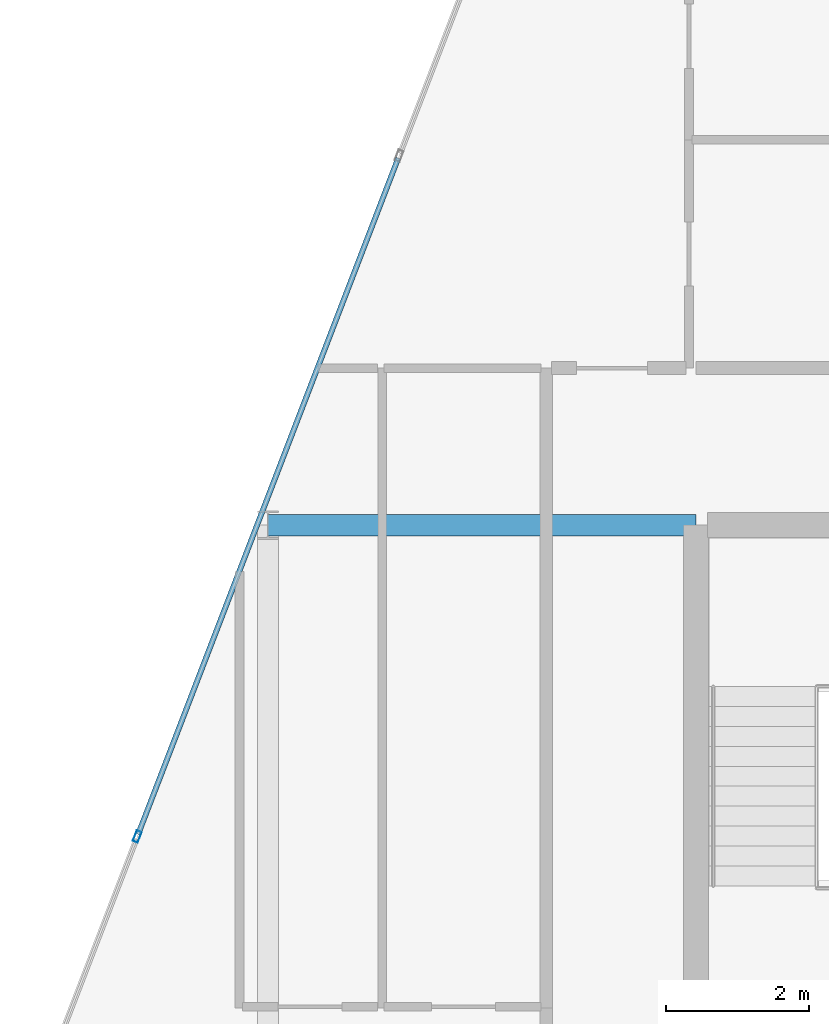
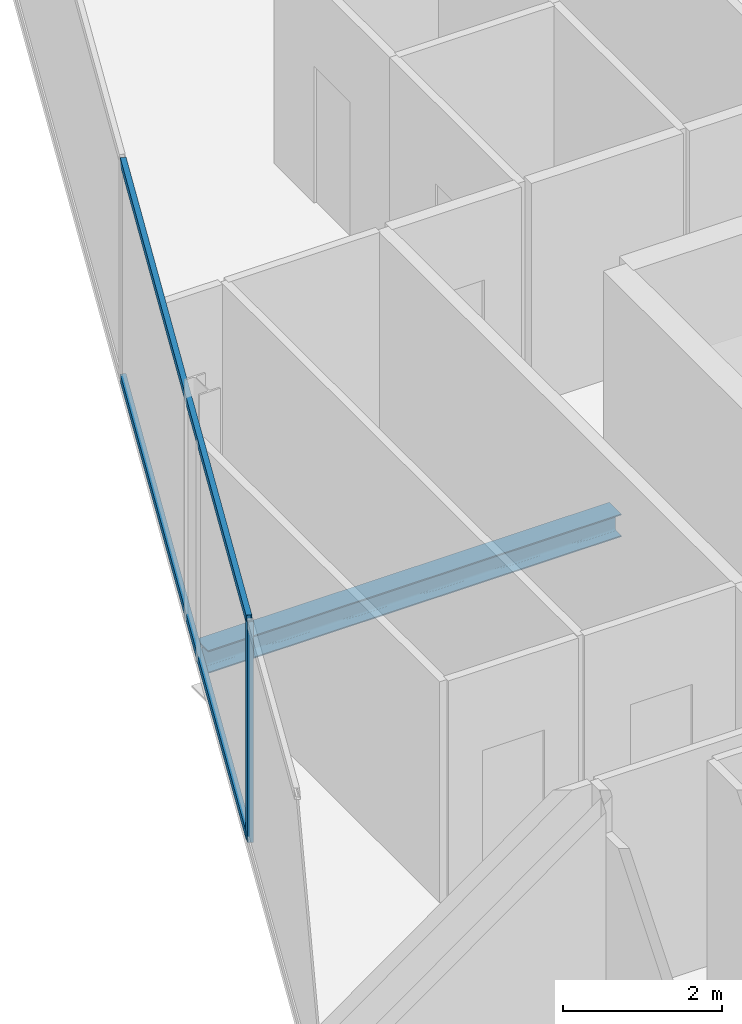
# One storey, part 10 of 27: 3 members, 1 beam, 1 element without a shape of its own.
"""IFC4 building model written with IfcOpenShell, lengths in metres."""

from ifc_helpers import new_model, si_unit, direction, frame, origin, origin_2d, place, context, subcontext, project, spatial, hollow_rectangle, i_section, extrude, material, layer, layer_set, material_profile, profile_set, type_object, element, aggregate, save


model = new_model("IFC4")

# Units and contexts
model_context = context("Model", 3, precision=1e-05, world=origin(), true_north=direction((0.0, 1.0)))
body_context = subcontext(model_context, "Body", "Model", "MODEL_VIEW")
ifc_project = project(units=[si_unit("LENGTHUNIT", "METRE"), si_unit("AREAUNIT", "SQUARE_METRE"), si_unit("VOLUMEUNIT", "CUBIC_METRE"), si_unit("PLANEANGLEUNIT", "RADIAN"), si_unit("MASSUNIT", "GRAM", prefix="KILO")], contexts=[model_context])

# Site, building, storey
site_placement = place(None, origin())
site = spatial("IfcSite", under=ifc_project, at=site_placement, CompositionType="ELEMENT")
building_placement = place(site_placement, origin())
building = spatial("IfcBuilding", under=site, at=building_placement, Name="Keshet Zoharim Tower", CompositionType="ELEMENT")
storey_placement = place(building_placement, frame((0.0, 0.0, 284.300048828125)))
storey = spatial("IfcBuildingStorey", under=building, at=storey_placement, Name="L71", CompositionType="ELEMENT", Elevation=284.300048828125)

# Beam
ifc_material_1 = material(Name="Steel S355", Category="steel")
ifc_material_profile_1 = material_profile(ifc_material_1, i_section(OverallWidth=0.300048828125, OverallDepth=0.35009765625, WebThickness=0.010009765625, FlangeThickness=0.017578125, FilletRadius=0.027099609375, at=origin_2d()), Name="HEA360")
ifc_profile_set_1 = profile_set([ifc_material_profile_1], Name="Steel S355")
beam_type = type_object("IfcBeamType", Name="BM-PRI-HA360", PredefinedType="BEAM", material=ifc_profile_set_1)
beam_placement = place(storey_placement, frame((9.0, 37.89990234375, -0.485107421875), z_axis=(1.0, 0.0, 0.0), x_axis=(0.0, 1.0, 0.0)))
element("IfcBeam", 1, at=beam_placement, inside=storey, type_object=beam_type, Name="L71 Primary Girder X-008", PredefinedType="BEAM", context=body_context, shape_type="SweptSolid", body=[
    extrude(i_section(OverallWidth=0.300048828125, OverallDepth=0.35009765625, WebThickness=0.010009765625, FlangeThickness=0.017578125, FilletRadius=0.027099609375, at=origin_2d()), origin(), (0.0, 0.0, 1.0), 6.0),
])

# Curtain wall, members
ifc_material_2 = material(Name="Aluminium 6063-T6", Category="aluminium")
ifc_layer = layer(ifc_material_2, 0.260009765625)
ifc_layer_set = layer_set([ifc_layer], Name="Aluminium 6063-T6")
curtain_wall_type = type_object("IfcCurtainWallType", Name="CW-SYS-06", PredefinedType="NOTDEFINED", material=ifc_layer_set)
curtain_wall_placement = place(storey_placement, origin())
curtain_wall = element("IfcCurtainWall", 2, at=curtain_wall_placement, inside=storey, type_object=curtain_wall_type, Name="L71 Unitised Curtain Wall 03", PredefinedType="NOTDEFINED")
ifc_material_profile_2 = material_profile(ifc_material_2, hollow_rectangle(XDim=0.074951171875, YDim=0.159912109375, WallThickness=0.00390625, at=origin_2d()), Name="MUL-75x160")
ifc_profile_set_2 = profile_set([ifc_material_profile_2], Name="Aluminium 6063-T6")
member_type_1 = type_object("IfcMemberType", Name="CWM-M15", PredefinedType="MULLION", material=ifc_profile_set_2)
member_1_placement = place(storey_placement, frame((7.1669921875, 33.53466796875, 0.0), z_axis=(0.0, 0.0, 1.0), x_axis=(-0.933341404361, 0.358990003907, 0.0)))
member_1 = element("IfcMember", 3, at=member_1_placement, type_object=member_type_1, Name="CW-06 mullion 2", PredefinedType="MULLION", context=body_context, shape_type="SweptSolid", body=[
    extrude(hollow_rectangle(XDim=0.074951171875, YDim=0.159912109375, WallThickness=0.00390625, at=origin_2d()), origin(), (0.0, 0.0, 1.0), 3.389892578125),
])
ifc_material_profile_3 = material_profile(ifc_material_2, hollow_rectangle(XDim=0.074951171875, YDim=0.1201171875, WallThickness=0.00390625, at=origin_2d()), Name="TRN-75x120")
ifc_profile_set_3 = profile_set([ifc_material_profile_3], Name="Aluminium 6063-T6")
member_type_2 = type_object("IfcMemberType", Name="CWT-T12", PredefinedType="USERDEFINED", material=ifc_profile_set_3)
member_2_placement = place(storey_placement, frame((7.179443359375, 33.5673828125, 0.034912109375), z_axis=(0.359003248899, 0.933336309848, 0.0), x_axis=(-0.933336309848, 0.359003248899, 0.0)))
member_2 = element("IfcMember", 4, at=member_2_placement, type_object=member_type_2, Name="CW-06 transom 2.1", ObjectType="TRANSOM", PredefinedType="USERDEFINED", context=body_context, shape_type="SweptSolid", body=[
    extrude(hollow_rectangle(XDim=0.074951171875, YDim=0.1201171875, WallThickness=0.00390625, at=origin_2d()), origin(), (0.0, 0.0, 1.0), 10.153076171875),
])
member_3_placement = place(storey_placement, frame((7.179443359375, 33.5673828125, 3.35498046875), z_axis=(0.359003248899, 0.933336309848, 0.0), x_axis=(-0.933336309848, 0.359003248899, 0.0)))
member_3 = element("IfcMember", 5, at=member_3_placement, type_object=member_type_2, Name="CW-06 transom 2.2", ObjectType="TRANSOM", PredefinedType="USERDEFINED", context=body_context, shape_type="SweptSolid", body=[
    extrude(hollow_rectangle(XDim=0.074951171875, YDim=0.1201171875, WallThickness=0.00390625, at=origin_2d()), origin(), (0.0, 0.0, 1.0), 10.153076171875),
])
aggregate(curtain_wall, [member_1, member_2, member_3])

save(model, "model.ifc")
